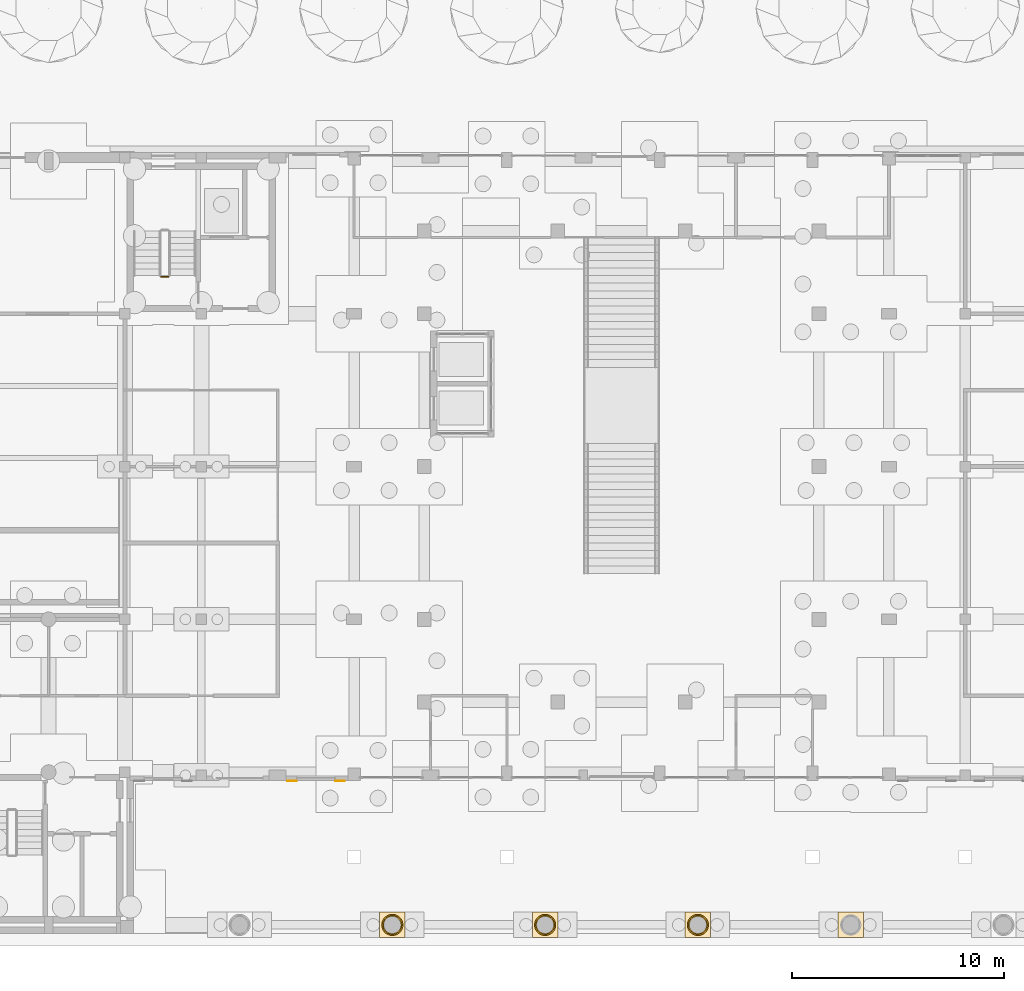
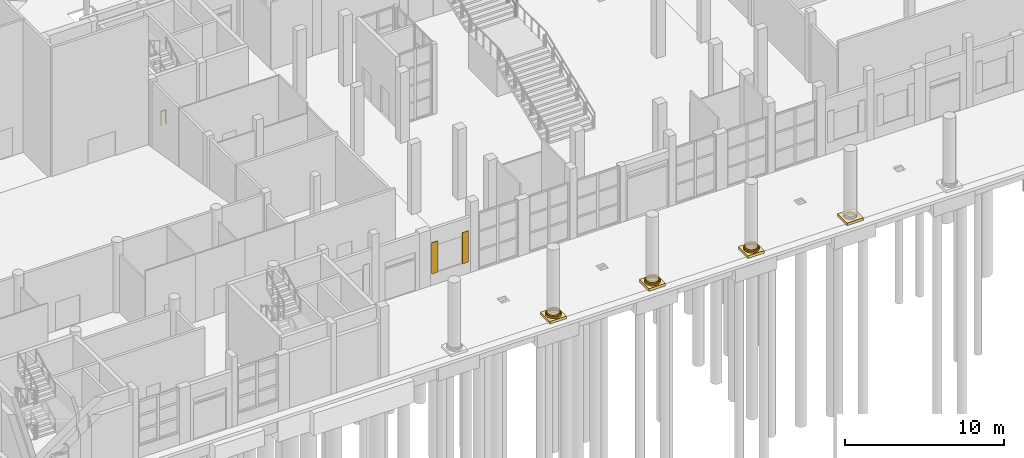
# One storey, part 59 of 80: 10 coverings, 2 shading devices, 1 railing.
"""IFC4 building model written with IfcOpenShell, lengths in metres."""

from ifc_helpers import new_model, si_unit, direction, frame, origin, origin_2d, place, context, subcontext, project, spatial, polyline, rectangle, circle, outline, extrude, material, layer, layer_set, type_object, element, save


model = new_model("IFC4")

# Units and contexts
model_context = context("Model", 3, precision=1e-05, world=origin(), true_north=direction((0.0, 1.0)))
body_context = subcontext(model_context, "Body", "Model", "MODEL_VIEW")
ifc_project = project(units=[si_unit("LENGTHUNIT", "METRE"), si_unit("AREAUNIT", "SQUARE_METRE"), si_unit("VOLUMEUNIT", "CUBIC_METRE"), si_unit("PLANEANGLEUNIT", "RADIAN"), si_unit("MASSUNIT", "GRAM", prefix="KILO")], contexts=[model_context])

# Site, building, storey
site_placement = place(None, origin())
site = spatial("IfcSite", under=ifc_project, at=site_placement, CompositionType="ELEMENT")
building_placement = place(site_placement, origin())
building = spatial("IfcBuilding", under=site, at=building_placement, Name="Ussher Court Research Institute", CompositionType="ELEMENT")
storey_placement = place(building_placement, origin())
storey = spatial("IfcBuildingStorey", under=building, at=storey_placement, Name="L00", CompositionType="ELEMENT", Elevation=0.0)

# Coverings
ifc_material_1 = material(Name="Limestone cornice", Category="masonry")
covering_type_1 = type_object("IfcCoveringType", Name="Column base fillet 800 896x100", PredefinedType="CLADDING", material=ifc_material_1)
covering_1_placement = place(storey_placement, frame((0.0, 0.0, 0.320068359375)))
element("IfcCovering", 1, at=covering_1_placement, inside=storey, type_object=covering_type_1, Name="Column base CC15", PredefinedType="CLADDING", context=body_context, shape_type="SweptSolid", body=[
    extrude(outline(polyline([(41.248046875, 4.0), (41.244140625, 4.05859375), (41.232666015625, 4.115966796875), (41.2138671875, 4.17138671875), (41.18798828125, 4.22412109375), (41.155517578125, 4.272705078125), (41.11669921875, 4.31689453125), (41.07275390625, 4.35546875), (41.02392578125, 4.387939453125), (40.971435546875, 4.413818359375), (40.916015625, 4.4326171875), (40.8583984375, 4.444091796875), (40.800048828125, 4.447998046875), (40.741455078125, 4.444091796875), (40.68408203125, 4.4326171875), (40.628662109375, 4.413818359375), (40.575927734375, 4.387939453125), (40.52734375, 4.35546875), (40.483154296875, 4.31689453125), (40.444580078125, 4.272705078125), (40.412109375, 4.22412109375), (40.385986328125, 4.17138671875), (40.3671875, 4.115966796875), (40.355712890625, 4.05859375), (40.35205078125, 4.0), (40.355712890625, 3.94140625), (40.3671875, 3.884033203125), (40.385986328125, 3.82861328125), (40.412109375, 3.77587890625), (40.444580078125, 3.727294921875), (40.483154296875, 3.68310546875), (40.52734375, 3.64453125), (40.575927734375, 3.612060546875), (40.628662109375, 3.586181640625), (40.68408203125, 3.5673828125), (40.741455078125, 3.555908203125), (40.800048828125, 3.552001953125), (40.8583984375, 3.555908203125), (40.916015625, 3.5673828125), (40.971435546875, 3.586181640625), (41.02392578125, 3.612060546875), (41.07275390625, 3.64453125), (41.11669921875, 3.68310546875), (41.155517578125, 3.727294921875), (41.18798828125, 3.77587890625), (41.2138671875, 3.82861328125), (41.232666015625, 3.884033203125), (41.244140625, 3.94140625), (41.248046875, 4.0)]), holes=[polyline([(41.200927734375, 4.0), (41.197509765625, 4.05224609375), (41.187255859375, 4.103759765625), (41.17041015625, 4.1533203125), (41.147216796875, 4.200439453125), (41.117919921875, 4.243896484375), (41.08349609375, 4.283447265625), (41.0439453125, 4.318115234375), (41.00048828125, 4.34716796875), (40.953369140625, 4.370361328125), (40.90380859375, 4.38720703125), (40.852294921875, 4.3974609375), (40.800048828125, 4.40087890625), (40.747802734375, 4.3974609375), (40.6962890625, 4.38720703125), (40.646484375, 4.370361328125), (40.599609375, 4.34716796875), (40.555908203125, 4.318115234375), (40.5166015625, 4.283447265625), (40.48193359375, 4.243896484375), (40.452880859375, 4.200439453125), (40.4296875, 4.1533203125), (40.412841796875, 4.103759765625), (40.402587890625, 4.05224609375), (40.399169921875, 4.0), (40.402587890625, 3.94775390625), (40.412841796875, 3.896240234375), (40.4296875, 3.8466796875), (40.452880859375, 3.799560546875), (40.48193359375, 3.756103515625), (40.5166015625, 3.716552734375), (40.555908203125, 3.681884765625), (40.599609375, 3.65283203125), (40.646484375, 3.629638671875), (40.6962890625, 3.61279296875), (40.747802734375, 3.6025390625), (40.800048828125, 3.59912109375), (40.852294921875, 3.6025390625), (40.90380859375, 3.61279296875), (40.953369140625, 3.629638671875), (41.00048828125, 3.65283203125), (41.0439453125, 3.681884765625), (41.08349609375, 3.716552734375), (41.117919921875, 3.756103515625), (41.147216796875, 3.799560546875), (41.17041015625, 3.8466796875), (41.187255859375, 3.896240234375), (41.197509765625, 3.94775390625), (41.200927734375, 4.0)])]), origin(), (0.0, 0.0, 1.0), 0.099853515625),
])
covering_2_placement = place(storey_placement, frame((0.0, 0.0, 0.320068359375)))
element("IfcCovering", 2, at=covering_2_placement, inside=storey, type_object=covering_type_1, Name="Column base CC15", PredefinedType="CLADDING", context=body_context, shape_type="SweptSolid", body=[
    extrude(outline(polyline([(48.447998046875, 4.0), (48.444091796875, 4.05859375), (48.4326171875, 4.115966796875), (48.413818359375, 4.17138671875), (48.387939453125, 4.22412109375), (48.35546875, 4.272705078125), (48.31689453125, 4.31689453125), (48.272705078125, 4.35546875), (48.22412109375, 4.387939453125), (48.17138671875, 4.413818359375), (48.115966796875, 4.4326171875), (48.05859375, 4.444091796875), (48.0, 4.447998046875), (47.94140625, 4.444091796875), (47.884033203125, 4.4326171875), (47.82861328125, 4.413818359375), (47.77587890625, 4.387939453125), (47.727294921875, 4.35546875), (47.68310546875, 4.31689453125), (47.64453125, 4.272705078125), (47.612060546875, 4.22412109375), (47.586181640625, 4.17138671875), (47.5673828125, 4.115966796875), (47.555908203125, 4.05859375), (47.552001953125, 4.0), (47.555908203125, 3.94140625), (47.5673828125, 3.884033203125), (47.586181640625, 3.82861328125), (47.612060546875, 3.77587890625), (47.64453125, 3.727294921875), (47.68310546875, 3.68310546875), (47.727294921875, 3.64453125), (47.77587890625, 3.612060546875), (47.82861328125, 3.586181640625), (47.884033203125, 3.5673828125), (47.94140625, 3.555908203125), (48.0, 3.552001953125), (48.05859375, 3.555908203125), (48.115966796875, 3.5673828125), (48.17138671875, 3.586181640625), (48.22412109375, 3.612060546875), (48.272705078125, 3.64453125), (48.31689453125, 3.68310546875), (48.35546875, 3.727294921875), (48.387939453125, 3.77587890625), (48.413818359375, 3.82861328125), (48.4326171875, 3.884033203125), (48.444091796875, 3.94140625), (48.447998046875, 4.0)]), holes=[polyline([(48.40087890625, 4.0), (48.3974609375, 4.05224609375), (48.38720703125, 4.103759765625), (48.370361328125, 4.1533203125), (48.34716796875, 4.200439453125), (48.318115234375, 4.243896484375), (48.283447265625, 4.283447265625), (48.243896484375, 4.318115234375), (48.200439453125, 4.34716796875), (48.1533203125, 4.370361328125), (48.103759765625, 4.38720703125), (48.05224609375, 4.3974609375), (48.0, 4.40087890625), (47.94775390625, 4.3974609375), (47.896240234375, 4.38720703125), (47.8466796875, 4.370361328125), (47.799560546875, 4.34716796875), (47.756103515625, 4.318115234375), (47.716552734375, 4.283447265625), (47.681884765625, 4.243896484375), (47.65283203125, 4.200439453125), (47.629638671875, 4.1533203125), (47.61279296875, 4.103759765625), (47.6025390625, 4.05224609375), (47.59912109375, 4.0), (47.6025390625, 3.94775390625), (47.61279296875, 3.896240234375), (47.629638671875, 3.8466796875), (47.65283203125, 3.799560546875), (47.681884765625, 3.756103515625), (47.716552734375, 3.716552734375), (47.756103515625, 3.681884765625), (47.799560546875, 3.65283203125), (47.8466796875, 3.629638671875), (47.896240234375, 3.61279296875), (47.94775390625, 3.6025390625), (48.0, 3.59912109375), (48.05224609375, 3.6025390625), (48.103759765625, 3.61279296875), (48.1533203125, 3.629638671875), (48.200439453125, 3.65283203125), (48.243896484375, 3.681884765625), (48.283447265625, 3.716552734375), (48.318115234375, 3.756103515625), (48.34716796875, 3.799560546875), (48.370361328125, 3.8466796875), (48.38720703125, 3.896240234375), (48.3974609375, 3.94775390625), (48.40087890625, 4.0)])]), origin(), (0.0, 0.0, 1.0), 0.099853515625),
])
covering_3_placement = place(storey_placement, frame((0.0, 0.0, 0.320068359375)))
element("IfcCovering", 3, at=covering_3_placement, inside=storey, type_object=covering_type_1, Name="Column base CC15", PredefinedType="CLADDING", context=body_context, shape_type="SweptSolid", body=[
    extrude(outline(polyline([(55.64794921875, 4.0), (55.644287109375, 4.05859375), (55.6328125, 4.115966796875), (55.614013671875, 4.17138671875), (55.587890625, 4.22412109375), (55.555419921875, 4.272705078125), (55.516845703125, 4.31689453125), (55.47265625, 4.35546875), (55.424072265625, 4.387939453125), (55.371337890625, 4.413818359375), (55.31591796875, 4.4326171875), (55.258544921875, 4.444091796875), (55.199951171875, 4.447998046875), (55.1416015625, 4.444091796875), (55.083984375, 4.4326171875), (55.028564453125, 4.413818359375), (54.97607421875, 4.387939453125), (54.92724609375, 4.35546875), (54.88330078125, 4.31689453125), (54.844482421875, 4.272705078125), (54.81201171875, 4.22412109375), (54.7861328125, 4.17138671875), (54.767333984375, 4.115966796875), (54.755859375, 4.05859375), (54.751953125, 4.0), (54.755859375, 3.94140625), (54.767333984375, 3.884033203125), (54.7861328125, 3.82861328125), (54.81201171875, 3.77587890625), (54.844482421875, 3.727294921875), (54.88330078125, 3.68310546875), (54.92724609375, 3.64453125), (54.97607421875, 3.612060546875), (55.028564453125, 3.586181640625), (55.083984375, 3.5673828125), (55.1416015625, 3.555908203125), (55.199951171875, 3.552001953125), (55.258544921875, 3.555908203125), (55.31591796875, 3.5673828125), (55.371337890625, 3.586181640625), (55.424072265625, 3.612060546875), (55.47265625, 3.64453125), (55.516845703125, 3.68310546875), (55.555419921875, 3.727294921875), (55.587890625, 3.77587890625), (55.614013671875, 3.82861328125), (55.6328125, 3.884033203125), (55.644287109375, 3.94140625), (55.64794921875, 4.0)]), holes=[polyline([(55.600830078125, 4.0), (55.597412109375, 4.05224609375), (55.587158203125, 4.103759765625), (55.5703125, 4.1533203125), (55.547119140625, 4.200439453125), (55.51806640625, 4.243896484375), (55.4833984375, 4.283447265625), (55.444091796875, 4.318115234375), (55.400390625, 4.34716796875), (55.353515625, 4.370361328125), (55.3037109375, 4.38720703125), (55.252197265625, 4.3974609375), (55.199951171875, 4.40087890625), (55.147705078125, 4.3974609375), (55.09619140625, 4.38720703125), (55.046630859375, 4.370361328125), (54.99951171875, 4.34716796875), (54.9560546875, 4.318115234375), (54.91650390625, 4.283447265625), (54.882080078125, 4.243896484375), (54.852783203125, 4.200439453125), (54.82958984375, 4.1533203125), (54.812744140625, 4.103759765625), (54.802490234375, 4.05224609375), (54.799072265625, 4.0), (54.802490234375, 3.94775390625), (54.812744140625, 3.896240234375), (54.82958984375, 3.8466796875), (54.852783203125, 3.799560546875), (54.882080078125, 3.756103515625), (54.91650390625, 3.716552734375), (54.9560546875, 3.681884765625), (54.99951171875, 3.65283203125), (55.046630859375, 3.629638671875), (55.09619140625, 3.61279296875), (55.147705078125, 3.6025390625), (55.199951171875, 3.59912109375), (55.252197265625, 3.6025390625), (55.3037109375, 3.61279296875), (55.353515625, 3.629638671875), (55.400390625, 3.65283203125), (55.444091796875, 3.681884765625), (55.4833984375, 3.716552734375), (55.51806640625, 3.756103515625), (55.547119140625, 3.799560546875), (55.5703125, 3.8466796875), (55.587158203125, 3.896240234375), (55.597412109375, 3.94775390625), (55.600830078125, 4.0)])]), origin(), (0.0, 0.0, 1.0), 0.099853515625),
])
ifc_material_2 = material(Name="Limestone cornice", Category="masonry")
covering_type_2 = type_object("IfcCoveringType", Name="Column base torus 800 1000x120", PredefinedType="CLADDING", material=ifc_material_2)
covering_4_placement = place(storey_placement, frame((0.0, 0.0, 0.199951171875)))
element("IfcCovering", 4, at=covering_4_placement, inside=storey, type_object=covering_type_2, Name="Column base CC14", PredefinedType="CLADDING", context=body_context, shape_type="SweptSolid", body=[
    extrude(outline(polyline([(41.300048828125, 4.0), (41.295654296875, 4.065185546875), (41.282958984375, 4.12939453125), (41.261962890625, 4.19140625), (41.23291015625, 4.25), (41.19677734375, 4.304443359375), (41.153564453125, 4.353515625), (41.1044921875, 4.396728515625), (41.050048828125, 4.43310546875), (40.9912109375, 4.4619140625), (40.929443359375, 4.48291015625), (40.865234375, 4.49560546875), (40.800048828125, 4.5), (40.734619140625, 4.49560546875), (40.670654296875, 4.48291015625), (40.608642578125, 4.4619140625), (40.550048828125, 4.43310546875), (40.49560546875, 4.396728515625), (40.4462890625, 4.353515625), (40.4033203125, 4.304443359375), (40.366943359375, 4.25), (40.338134765625, 4.19140625), (40.31689453125, 4.12939453125), (40.30419921875, 4.065185546875), (40.300048828125, 4.0), (40.30419921875, 3.934814453125), (40.31689453125, 3.87060546875), (40.338134765625, 3.80859375), (40.366943359375, 3.75), (40.4033203125, 3.695556640625), (40.4462890625, 3.646484375), (40.49560546875, 3.603271484375), (40.550048828125, 3.56689453125), (40.608642578125, 3.5380859375), (40.670654296875, 3.51708984375), (40.734619140625, 3.50439453125), (40.800048828125, 3.5), (40.865234375, 3.50439453125), (40.929443359375, 3.51708984375), (40.9912109375, 3.5380859375), (41.050048828125, 3.56689453125), (41.1044921875, 3.603271484375), (41.153564453125, 3.646484375), (41.19677734375, 3.695556640625), (41.23291015625, 3.75), (41.261962890625, 3.80859375), (41.282958984375, 3.87060546875), (41.295654296875, 3.934814453125), (41.300048828125, 4.0)]), holes=[polyline([(41.200927734375, 4.0), (41.197509765625, 4.05224609375), (41.187255859375, 4.103759765625), (41.17041015625, 4.1533203125), (41.147216796875, 4.200439453125), (41.117919921875, 4.243896484375), (41.08349609375, 4.283447265625), (41.0439453125, 4.318115234375), (41.00048828125, 4.34716796875), (40.953369140625, 4.370361328125), (40.90380859375, 4.38720703125), (40.852294921875, 4.3974609375), (40.800048828125, 4.40087890625), (40.747802734375, 4.3974609375), (40.6962890625, 4.38720703125), (40.646484375, 4.370361328125), (40.599609375, 4.34716796875), (40.555908203125, 4.318115234375), (40.5166015625, 4.283447265625), (40.48193359375, 4.243896484375), (40.452880859375, 4.200439453125), (40.4296875, 4.1533203125), (40.412841796875, 4.103759765625), (40.402587890625, 4.05224609375), (40.399169921875, 4.0), (40.402587890625, 3.94775390625), (40.412841796875, 3.896240234375), (40.4296875, 3.8466796875), (40.452880859375, 3.799560546875), (40.48193359375, 3.756103515625), (40.5166015625, 3.716552734375), (40.555908203125, 3.681884765625), (40.599609375, 3.65283203125), (40.646484375, 3.629638671875), (40.6962890625, 3.61279296875), (40.747802734375, 3.6025390625), (40.800048828125, 3.59912109375), (40.852294921875, 3.6025390625), (40.90380859375, 3.61279296875), (40.953369140625, 3.629638671875), (41.00048828125, 3.65283203125), (41.0439453125, 3.681884765625), (41.08349609375, 3.716552734375), (41.117919921875, 3.756103515625), (41.147216796875, 3.799560546875), (41.17041015625, 3.8466796875), (41.187255859375, 3.896240234375), (41.197509765625, 3.94775390625), (41.200927734375, 4.0)])]), origin(), (0.0, 0.0, 1.0), 0.1201171875),
])
covering_5_placement = place(storey_placement, frame((0.0, 0.0, 0.199951171875)))
element("IfcCovering", 5, at=covering_5_placement, inside=storey, type_object=covering_type_2, Name="Column base CC14", PredefinedType="CLADDING", context=body_context, shape_type="SweptSolid", body=[
    extrude(outline(polyline([(48.5, 4.0), (48.49560546875, 4.065185546875), (48.48291015625, 4.12939453125), (48.4619140625, 4.19140625), (48.43310546875, 4.25), (48.396728515625, 4.304443359375), (48.353515625, 4.353515625), (48.304443359375, 4.396728515625), (48.25, 4.43310546875), (48.19140625, 4.4619140625), (48.12939453125, 4.48291015625), (48.065185546875, 4.49560546875), (48.0, 4.5), (47.934814453125, 4.49560546875), (47.87060546875, 4.48291015625), (47.80859375, 4.4619140625), (47.75, 4.43310546875), (47.695556640625, 4.396728515625), (47.646484375, 4.353515625), (47.603271484375, 4.304443359375), (47.56689453125, 4.25), (47.5380859375, 4.19140625), (47.51708984375, 4.12939453125), (47.50439453125, 4.065185546875), (47.5, 4.0), (47.50439453125, 3.934814453125), (47.51708984375, 3.87060546875), (47.5380859375, 3.80859375), (47.56689453125, 3.75), (47.603271484375, 3.695556640625), (47.646484375, 3.646484375), (47.695556640625, 3.603271484375), (47.75, 3.56689453125), (47.80859375, 3.5380859375), (47.87060546875, 3.51708984375), (47.934814453125, 3.50439453125), (48.0, 3.5), (48.065185546875, 3.50439453125), (48.12939453125, 3.51708984375), (48.19140625, 3.5380859375), (48.25, 3.56689453125), (48.304443359375, 3.603271484375), (48.353515625, 3.646484375), (48.396728515625, 3.695556640625), (48.43310546875, 3.75), (48.4619140625, 3.80859375), (48.48291015625, 3.87060546875), (48.49560546875, 3.934814453125), (48.5, 4.0)]), holes=[polyline([(48.40087890625, 4.0), (48.3974609375, 4.05224609375), (48.38720703125, 4.103759765625), (48.370361328125, 4.1533203125), (48.34716796875, 4.200439453125), (48.318115234375, 4.243896484375), (48.283447265625, 4.283447265625), (48.243896484375, 4.318115234375), (48.200439453125, 4.34716796875), (48.1533203125, 4.370361328125), (48.103759765625, 4.38720703125), (48.05224609375, 4.3974609375), (48.0, 4.40087890625), (47.94775390625, 4.3974609375), (47.896240234375, 4.38720703125), (47.8466796875, 4.370361328125), (47.799560546875, 4.34716796875), (47.756103515625, 4.318115234375), (47.716552734375, 4.283447265625), (47.681884765625, 4.243896484375), (47.65283203125, 4.200439453125), (47.629638671875, 4.1533203125), (47.61279296875, 4.103759765625), (47.6025390625, 4.05224609375), (47.59912109375, 4.0), (47.6025390625, 3.94775390625), (47.61279296875, 3.896240234375), (47.629638671875, 3.8466796875), (47.65283203125, 3.799560546875), (47.681884765625, 3.756103515625), (47.716552734375, 3.716552734375), (47.756103515625, 3.681884765625), (47.799560546875, 3.65283203125), (47.8466796875, 3.629638671875), (47.896240234375, 3.61279296875), (47.94775390625, 3.6025390625), (48.0, 3.59912109375), (48.05224609375, 3.6025390625), (48.103759765625, 3.61279296875), (48.1533203125, 3.629638671875), (48.200439453125, 3.65283203125), (48.243896484375, 3.681884765625), (48.283447265625, 3.716552734375), (48.318115234375, 3.756103515625), (48.34716796875, 3.799560546875), (48.370361328125, 3.8466796875), (48.38720703125, 3.896240234375), (48.3974609375, 3.94775390625), (48.40087890625, 4.0)])]), origin(), (0.0, 0.0, 1.0), 0.1201171875),
])
covering_6_placement = place(storey_placement, frame((0.0, 0.0, 0.199951171875)))
element("IfcCovering", 6, at=covering_6_placement, inside=storey, type_object=covering_type_2, Name="Column base CC14", PredefinedType="CLADDING", context=body_context, shape_type="SweptSolid", body=[
    extrude(outline(polyline([(55.699951171875, 4.0), (55.69580078125, 4.065185546875), (55.68310546875, 4.12939453125), (55.661865234375, 4.19140625), (55.633056640625, 4.25), (55.5966796875, 4.304443359375), (55.5537109375, 4.353515625), (55.50439453125, 4.396728515625), (55.449951171875, 4.43310546875), (55.391357421875, 4.4619140625), (55.329345703125, 4.48291015625), (55.265380859375, 4.49560546875), (55.199951171875, 4.5), (55.134765625, 4.49560546875), (55.070556640625, 4.48291015625), (55.0087890625, 4.4619140625), (54.949951171875, 4.43310546875), (54.8955078125, 4.396728515625), (54.846435546875, 4.353515625), (54.80322265625, 4.304443359375), (54.76708984375, 4.25), (54.738037109375, 4.19140625), (54.717041015625, 4.12939453125), (54.704345703125, 4.065185546875), (54.699951171875, 4.0), (54.704345703125, 3.934814453125), (54.717041015625, 3.87060546875), (54.738037109375, 3.80859375), (54.76708984375, 3.75), (54.80322265625, 3.695556640625), (54.846435546875, 3.646484375), (54.8955078125, 3.603271484375), (54.949951171875, 3.56689453125), (55.0087890625, 3.5380859375), (55.070556640625, 3.51708984375), (55.134765625, 3.50439453125), (55.199951171875, 3.5), (55.265380859375, 3.50439453125), (55.329345703125, 3.51708984375), (55.391357421875, 3.5380859375), (55.449951171875, 3.56689453125), (55.50439453125, 3.603271484375), (55.5537109375, 3.646484375), (55.5966796875, 3.695556640625), (55.633056640625, 3.75), (55.661865234375, 3.80859375), (55.68310546875, 3.87060546875), (55.69580078125, 3.934814453125), (55.699951171875, 4.0)]), holes=[polyline([(55.600830078125, 4.0), (55.597412109375, 4.05224609375), (55.587158203125, 4.103759765625), (55.5703125, 4.1533203125), (55.547119140625, 4.200439453125), (55.51806640625, 4.243896484375), (55.4833984375, 4.283447265625), (55.444091796875, 4.318115234375), (55.400390625, 4.34716796875), (55.353515625, 4.370361328125), (55.3037109375, 4.38720703125), (55.252197265625, 4.3974609375), (55.199951171875, 4.40087890625), (55.147705078125, 4.3974609375), (55.09619140625, 4.38720703125), (55.046630859375, 4.370361328125), (54.99951171875, 4.34716796875), (54.9560546875, 4.318115234375), (54.91650390625, 4.283447265625), (54.882080078125, 4.243896484375), (54.852783203125, 4.200439453125), (54.82958984375, 4.1533203125), (54.812744140625, 4.103759765625), (54.802490234375, 4.05224609375), (54.799072265625, 4.0), (54.802490234375, 3.94775390625), (54.812744140625, 3.896240234375), (54.82958984375, 3.8466796875), (54.852783203125, 3.799560546875), (54.882080078125, 3.756103515625), (54.91650390625, 3.716552734375), (54.9560546875, 3.681884765625), (54.99951171875, 3.65283203125), (55.046630859375, 3.629638671875), (55.09619140625, 3.61279296875), (55.147705078125, 3.6025390625), (55.199951171875, 3.59912109375), (55.252197265625, 3.6025390625), (55.3037109375, 3.61279296875), (55.353515625, 3.629638671875), (55.400390625, 3.65283203125), (55.444091796875, 3.681884765625), (55.4833984375, 3.716552734375), (55.51806640625, 3.756103515625), (55.547119140625, 3.799560546875), (55.5703125, 3.8466796875), (55.587158203125, 3.896240234375), (55.597412109375, 3.94775390625), (55.600830078125, 4.0)])]), origin(), (0.0, 0.0, 1.0), 0.1201171875),
])
ifc_material_3 = material(Name="Limestone cornice", Category="masonry")
covering_type_3 = type_object("IfcCoveringType", Name="Column plinth 800 1200x200", PredefinedType="CLADDING", material=ifc_material_3)
covering_7_placement = place(storey_placement, origin())
element("IfcCovering", 7, at=covering_7_placement, inside=storey, type_object=covering_type_3, Name="Column base CC13", PredefinedType="CLADDING", context=body_context, shape_type="SweptSolid", body=[
    extrude(outline(polyline([(41.39990234375, 3.39990234375), (41.39990234375, 4.60009765625), (40.199951171875, 4.60009765625), (40.199951171875, 3.39990234375), (41.39990234375, 3.39990234375)]), holes=[polyline([(41.200927734375, 4.0), (41.197509765625, 4.05224609375), (41.187255859375, 4.103759765625), (41.17041015625, 4.1533203125), (41.147216796875, 4.200439453125), (41.117919921875, 4.243896484375), (41.08349609375, 4.283447265625), (41.0439453125, 4.318115234375), (41.00048828125, 4.34716796875), (40.953369140625, 4.370361328125), (40.90380859375, 4.38720703125), (40.852294921875, 4.3974609375), (40.800048828125, 4.40087890625), (40.747802734375, 4.3974609375), (40.6962890625, 4.38720703125), (40.646484375, 4.370361328125), (40.599609375, 4.34716796875), (40.555908203125, 4.318115234375), (40.5166015625, 4.283447265625), (40.48193359375, 4.243896484375), (40.452880859375, 4.200439453125), (40.4296875, 4.1533203125), (40.412841796875, 4.103759765625), (40.402587890625, 4.05224609375), (40.399169921875, 4.0), (40.402587890625, 3.94775390625), (40.412841796875, 3.896240234375), (40.4296875, 3.8466796875), (40.452880859375, 3.799560546875), (40.48193359375, 3.756103515625), (40.5166015625, 3.716552734375), (40.555908203125, 3.681884765625), (40.599609375, 3.65283203125), (40.646484375, 3.629638671875), (40.6962890625, 3.61279296875), (40.747802734375, 3.6025390625), (40.800048828125, 3.59912109375), (40.852294921875, 3.6025390625), (40.90380859375, 3.61279296875), (40.953369140625, 3.629638671875), (41.00048828125, 3.65283203125), (41.0439453125, 3.681884765625), (41.08349609375, 3.716552734375), (41.117919921875, 3.756103515625), (41.147216796875, 3.799560546875), (41.17041015625, 3.8466796875), (41.187255859375, 3.896240234375), (41.197509765625, 3.94775390625), (41.200927734375, 4.0)])]), origin(), (0.0, 0.0, 1.0), 0.199951171875),
])
covering_8_placement = place(storey_placement, origin())
element("IfcCovering", 8, at=covering_8_placement, inside=storey, type_object=covering_type_3, Name="Column base CC13", PredefinedType="CLADDING", context=body_context, shape_type="SweptSolid", body=[
    extrude(outline(polyline([(48.60009765625, 3.39990234375), (48.60009765625, 4.60009765625), (47.39990234375, 4.60009765625), (47.39990234375, 3.39990234375), (48.60009765625, 3.39990234375)]), holes=[polyline([(48.40087890625, 4.0), (48.3974609375, 4.05224609375), (48.38720703125, 4.103759765625), (48.370361328125, 4.1533203125), (48.34716796875, 4.200439453125), (48.318115234375, 4.243896484375), (48.283447265625, 4.283447265625), (48.243896484375, 4.318115234375), (48.200439453125, 4.34716796875), (48.1533203125, 4.370361328125), (48.103759765625, 4.38720703125), (48.05224609375, 4.3974609375), (48.0, 4.40087890625), (47.94775390625, 4.3974609375), (47.896240234375, 4.38720703125), (47.8466796875, 4.370361328125), (47.799560546875, 4.34716796875), (47.756103515625, 4.318115234375), (47.716552734375, 4.283447265625), (47.681884765625, 4.243896484375), (47.65283203125, 4.200439453125), (47.629638671875, 4.1533203125), (47.61279296875, 4.103759765625), (47.6025390625, 4.05224609375), (47.59912109375, 4.0), (47.6025390625, 3.94775390625), (47.61279296875, 3.896240234375), (47.629638671875, 3.8466796875), (47.65283203125, 3.799560546875), (47.681884765625, 3.756103515625), (47.716552734375, 3.716552734375), (47.756103515625, 3.681884765625), (47.799560546875, 3.65283203125), (47.8466796875, 3.629638671875), (47.896240234375, 3.61279296875), (47.94775390625, 3.6025390625), (48.0, 3.59912109375), (48.05224609375, 3.6025390625), (48.103759765625, 3.61279296875), (48.1533203125, 3.629638671875), (48.200439453125, 3.65283203125), (48.243896484375, 3.681884765625), (48.283447265625, 3.716552734375), (48.318115234375, 3.756103515625), (48.34716796875, 3.799560546875), (48.370361328125, 3.8466796875), (48.38720703125, 3.896240234375), (48.3974609375, 3.94775390625), (48.40087890625, 4.0)])]), origin(), (0.0, 0.0, 1.0), 0.199951171875),
])
covering_9_placement = place(storey_placement, origin())
element("IfcCovering", 9, at=covering_9_placement, inside=storey, type_object=covering_type_3, Name="Column base CC13", PredefinedType="CLADDING", context=body_context, shape_type="SweptSolid", body=[
    extrude(outline(polyline([(55.800048828125, 3.39990234375), (55.800048828125, 4.60009765625), (54.60009765625, 4.60009765625), (54.60009765625, 3.39990234375), (55.800048828125, 3.39990234375)]), holes=[polyline([(55.600830078125, 4.0), (55.597412109375, 4.05224609375), (55.587158203125, 4.103759765625), (55.5703125, 4.1533203125), (55.547119140625, 4.200439453125), (55.51806640625, 4.243896484375), (55.4833984375, 4.283447265625), (55.444091796875, 4.318115234375), (55.400390625, 4.34716796875), (55.353515625, 4.370361328125), (55.3037109375, 4.38720703125), (55.252197265625, 4.3974609375), (55.199951171875, 4.40087890625), (55.147705078125, 4.3974609375), (55.09619140625, 4.38720703125), (55.046630859375, 4.370361328125), (54.99951171875, 4.34716796875), (54.9560546875, 4.318115234375), (54.91650390625, 4.283447265625), (54.882080078125, 4.243896484375), (54.852783203125, 4.200439453125), (54.82958984375, 4.1533203125), (54.812744140625, 4.103759765625), (54.802490234375, 4.05224609375), (54.799072265625, 4.0), (54.802490234375, 3.94775390625), (54.812744140625, 3.896240234375), (54.82958984375, 3.8466796875), (54.852783203125, 3.799560546875), (54.882080078125, 3.756103515625), (54.91650390625, 3.716552734375), (54.9560546875, 3.681884765625), (54.99951171875, 3.65283203125), (55.046630859375, 3.629638671875), (55.09619140625, 3.61279296875), (55.147705078125, 3.6025390625), (55.199951171875, 3.59912109375), (55.252197265625, 3.6025390625), (55.3037109375, 3.61279296875), (55.353515625, 3.629638671875), (55.400390625, 3.65283203125), (55.444091796875, 3.681884765625), (55.4833984375, 3.716552734375), (55.51806640625, 3.756103515625), (55.547119140625, 3.799560546875), (55.5703125, 3.8466796875), (55.587158203125, 3.896240234375), (55.597412109375, 3.94775390625), (55.600830078125, 4.0)])]), origin(), (0.0, 0.0, 1.0), 0.199951171875),
])
covering_10_placement = place(storey_placement, origin())
element("IfcCovering", 10, at=covering_10_placement, inside=storey, type_object=covering_type_3, Name="Column base CC13", PredefinedType="CLADDING", context=body_context, shape_type="SweptSolid", body=[
    extrude(outline(polyline([(63.0, 3.39990234375), (63.0, 4.60009765625), (61.800048828125, 4.60009765625), (61.800048828125, 3.39990234375), (63.0, 3.39990234375)]), holes=[polyline([(62.80078125, 4.0), (62.79736328125, 4.05224609375), (62.787109375, 4.103759765625), (62.770263671875, 4.1533203125), (62.747314453125, 4.200439453125), (62.718017578125, 4.243896484375), (62.683349609375, 4.283447265625), (62.64404296875, 4.318115234375), (62.600341796875, 4.34716796875), (62.553466796875, 4.370361328125), (62.503662109375, 4.38720703125), (62.452392578125, 4.3974609375), (62.39990234375, 4.40087890625), (62.34765625, 4.3974609375), (62.29638671875, 4.38720703125), (62.24658203125, 4.370361328125), (62.19970703125, 4.34716796875), (62.156005859375, 4.318115234375), (62.11669921875, 4.283447265625), (62.08203125, 4.243896484375), (62.052734375, 4.200439453125), (62.02978515625, 4.1533203125), (62.0126953125, 4.103759765625), (62.002685546875, 4.05224609375), (61.9990234375, 4.0), (62.002685546875, 3.94775390625), (62.0126953125, 3.896240234375), (62.02978515625, 3.8466796875), (62.052734375, 3.799560546875), (62.08203125, 3.756103515625), (62.11669921875, 3.716552734375), (62.156005859375, 3.681884765625), (62.19970703125, 3.65283203125), (62.24658203125, 3.629638671875), (62.29638671875, 3.61279296875), (62.34765625, 3.6025390625), (62.39990234375, 3.59912109375), (62.452392578125, 3.6025390625), (62.503662109375, 3.61279296875), (62.553466796875, 3.629638671875), (62.600341796875, 3.65283203125), (62.64404296875, 3.681884765625), (62.683349609375, 3.716552734375), (62.718017578125, 3.756103515625), (62.747314453125, 3.799560546875), (62.770263671875, 3.8466796875), (62.787109375, 3.896240234375), (62.79736328125, 3.94775390625), (62.80078125, 4.0)])]), origin(), (0.0, 0.0, 1.0), 0.199951171875),
])

# Shading devices
ifc_material_4 = material(Name="Timber louvred shutter", Category="wood")
ifc_layer = layer(ifc_material_4, 0.0400390625)
ifc_layer_set = layer_set([ifc_layer], Name="Timber louvred shutter")
shading_device_type = type_object("IfcShadingDeviceType", Name="Louvred shutter leaf 450x2400", PredefinedType="USERDEFINED", material=ifc_layer_set)
for number, where, z_axis, x_axis, name in (
    (11, (38.324951171875, 10.780029296875, 0.900146484375), (0.0, 0.0, 1.0), (-1.0, 0.0, 0.0), "Shutter LV2 L00"),
    (12, (36.074951171875, 10.780029296875, 0.900146484375), (0.0, 0.0, 1.0), (-1.0, 0.0, 0.0), "Shutter LV2 L00"),
):
    element("IfcShadingDevice", number, at=place(storey_placement, frame(where, z_axis=z_axis, x_axis=x_axis)), inside=storey, type_object=shading_device_type, Name=name, ObjectType="SHUTTER", PredefinedType="USERDEFINED", context=body_context, shape_type="SweptSolid", body=[
        extrude(rectangle(XDim=0.449951171875, YDim=0.0400390625, at=origin_2d()), origin(), (0.0, 0.0, 1.0), 2.39990234375),
    ])

# Railing
ifc_material_5 = material(Name="Painted steel balustrade", Category="steel")
railing_type = type_object("IfcRailingType", Name="Stair guard 1100 steel balustrade", PredefinedType="GUARDRAIL", material=ifc_material_5)
railing_placement = place(storey_placement, frame((30.25, 34.550048828125, 0.0)))
element("IfcRailing", 13, at=railing_placement, inside=storey, type_object=railing_type, Name="L00 W1 stair guard 8", PredefinedType="GUARDRAIL", context=body_context, shape_type="SweptSolid", body=[
    extrude(circle(Radius=0.02392578125, at=origin_2d()), frame((0.0, 0.0, 1.076171875), z_axis=(-1.0, 0.0, 0.0), x_axis=(0.0, -1.0, 0.0)), (0.0, 0.0, 1.0), 0.35009765625),
    extrude(circle(Radius=0.02099609375, at=origin_2d()), origin(), (0.0, 0.0, 1.0), 1.052001953125),
    extrude(circle(Radius=0.02099609375, at=origin_2d()), frame((-0.35009765625, 0.0, 0.0)), (0.0, 0.0, 1.0), 1.052001953125),
])

save(model, "model.ifc")
